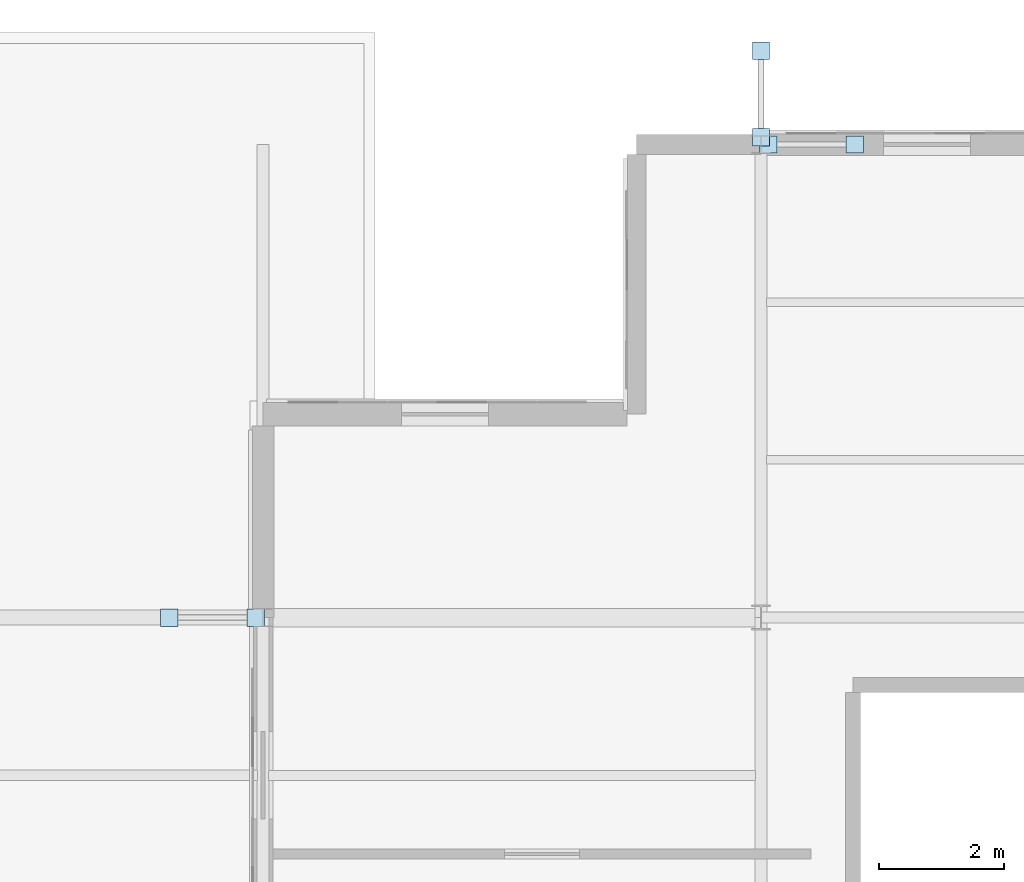
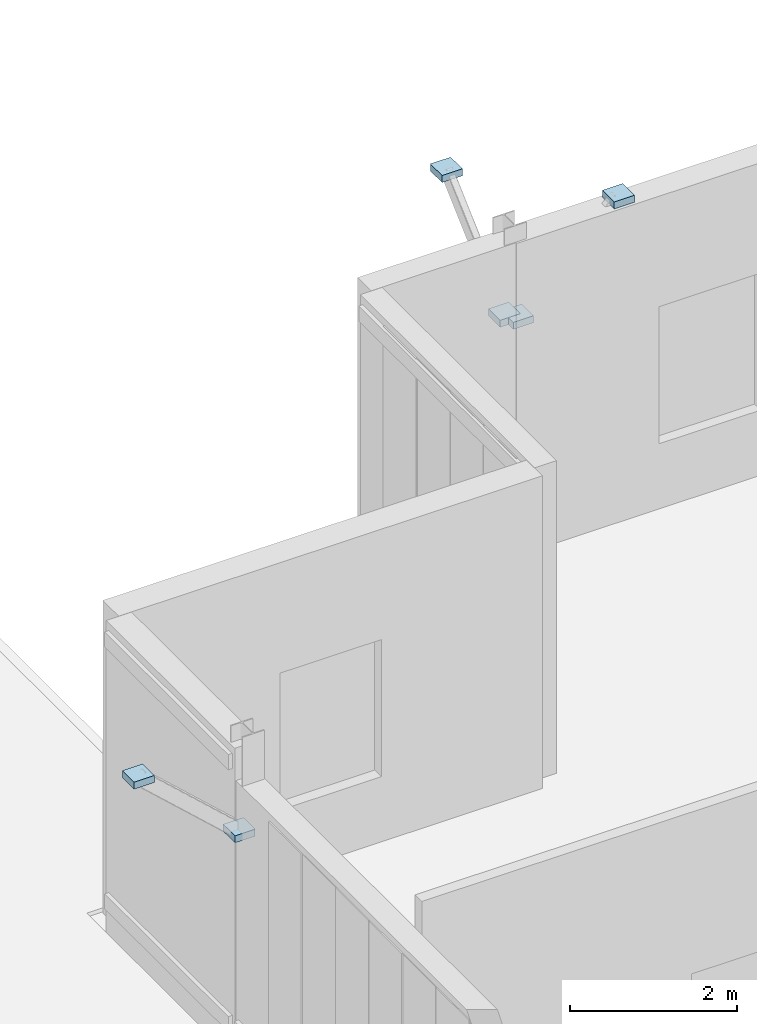
# One storey, part 91 of 120: 6 plates.
"""IFC4 building model written with IfcOpenShell, lengths in metres."""

from ifc_helpers import new_model, si_unit, direction, frame, origin, origin_2d, place, context, subcontext, project, spatial, rectangle, extrude, material, layer, layer_set, type_object, element, save


model = new_model("IFC4")

# Units and contexts
model_context = context("Model", 3, precision=1e-05, world=origin(), true_north=direction((0.0, 1.0)))
body_context = subcontext(model_context, "Body", "Model", "MODEL_VIEW")
ifc_project = project(units=[si_unit("LENGTHUNIT", "METRE"), si_unit("AREAUNIT", "SQUARE_METRE"), si_unit("VOLUMEUNIT", "CUBIC_METRE"), si_unit("PLANEANGLEUNIT", "RADIAN"), si_unit("MASSUNIT", "GRAM", prefix="KILO")], contexts=[model_context])

# Site, building, storey
site_placement = place(None, origin())
site = spatial("IfcSite", under=ifc_project, at=site_placement, CompositionType="ELEMENT")
building_placement = place(site_placement, origin())
building = spatial("IfcBuilding", under=site, at=building_placement, Name="Vekula Escarpment Museum", CompositionType="ELEMENT")
storey_placement = place(building_placement, frame((0.0, 0.0, 13.199951171875)))
storey = spatial("IfcBuildingStorey", under=building, at=storey_placement, Name="L03", CompositionType="ELEMENT", Elevation=13.199951171875)

# Plates
ifc_material = material(Name="Steel S355", Category="steel")
ifc_layer = layer(ifc_material, 0.01611328125)
ifc_layer_set = layer_set([ifc_layer], Name="Steel S355")
plate_type = type_object("IfcPlateType", Name="PL-CAP-16", PredefinedType="SHEET", material=ifc_layer_set)
for number, where, z_axis, x_axis, name in (
    (1, (23.88525390625, 128.39990234375, 3.294189453125), (0.0, 0.0, 1.0), (1.0, 0.0, 0.0), "Hollow section end cap CP-16"),
    (2, (22.49462890625, 128.39990234375, 4.56396484375), (0.0, 0.0, 1.0), (1.0, 0.0, 0.0), "Hollow section end cap CP-16"),
    (3, (32.11474609375, 136.0, 3.294189453125), (0.0, 0.0, 1.0), (1.0, 0.0, 0.0), "Hollow section end cap CP-16"),
    (4, (33.50537109375, 136.0, 4.56396484375), (0.0, 0.0, 1.0), (1.0, 0.0, 0.0), "Hollow section end cap CP-16"),
    (5, (32.0, 136.11474609375, 3.294189453125), (0.0, 0.0, 1.0), (1.0, 0.0, 0.0), "Hollow section end cap CP-16"),
    (6, (32.0, 137.50537109375, 4.56396484375), (0.0, 0.0, 1.0), (1.0, 0.0, 0.0), "Hollow section end cap CP-16"),
):
    element("IfcPlate", number, at=place(storey_placement, frame(where, z_axis=z_axis, x_axis=x_axis)), inside=storey, type_object=plate_type, Name=name, PredefinedType="SHEET", context=body_context, shape_type="SweptSolid", body=[
        extrude(rectangle(XDim=0.280029296875, YDim=0.280029296875, at=origin_2d()), origin(), (0.0, 0.0, 1.0), 0.10205078125),
    ])

save(model, "model.ifc")
